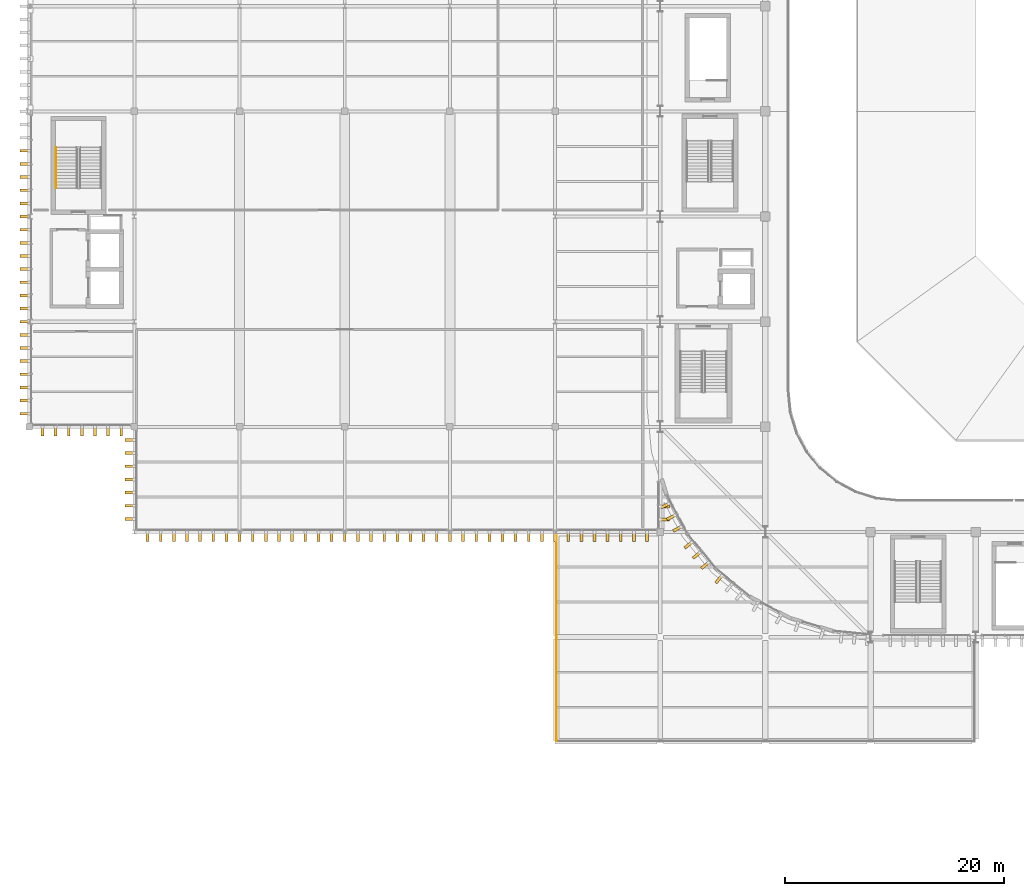
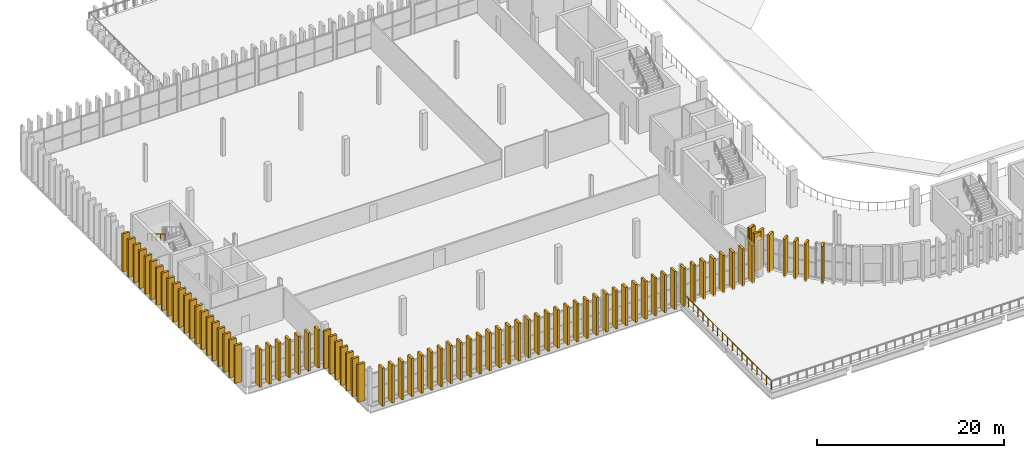
# One storey, part 78 of 99: 83 coverings, 2 railings.
"""IFC4 building model written with IfcOpenShell, lengths in metres."""

from ifc_helpers import new_model, si_unit, direction, frame, origin, origin_2d, place, context, subcontext, project, spatial, rectangle, circle, extrude, material, material_profile, profile_set, type_object, element, save


model = new_model("IFC4")

# Units and contexts
model_context = context("Model", 3, precision=1e-05, world=origin(), true_north=direction((0.0, 1.0)))
body_context = subcontext(model_context, "Body", "Model", "MODEL_VIEW")
ifc_project = project(units=[si_unit("LENGTHUNIT", "METRE"), si_unit("AREAUNIT", "SQUARE_METRE"), si_unit("VOLUMEUNIT", "CUBIC_METRE"), si_unit("PLANEANGLEUNIT", "RADIAN"), si_unit("MASSUNIT", "GRAM", prefix="KILO")], contexts=[model_context])

# Site, building, storey
site_placement = place(None, origin())
site = spatial("IfcSite", under=ifc_project, at=site_placement, CompositionType="ELEMENT")
building_placement = place(site_placement, origin())
building = spatial("IfcBuilding", under=site, at=building_placement, Name="Caelomonte Colonnade Arena", CompositionType="ELEMENT")
storey_placement = place(building_placement, frame((0.0, 0.0, 4.800048828125)))
storey = spatial("IfcBuildingStorey", under=building, at=storey_placement, Name="L01", CompositionType="ELEMENT", Elevation=4.800048828125)

# Coverings
ifc_material_1 = material(Name="Precast travertine cladding", Category="masonry")
ifc_material_profile = material_profile(ifc_material_1, rectangle(XDim=0.260009765625, YDim=0.85009765625, at=origin_2d()), Name="FIN260X850")
ifc_profile_set = profile_set([ifc_material_profile], Name="Precast travertine cladding")
covering_type = type_object("IfcCoveringType", Name="ENV-FN-SHAFT", PredefinedType="CLADDING", material=ifc_profile_set)
for number, where, z_axis, x_axis, name in (
    (1, (58.03173828125, 31.2080078125, -0.16015625), (0.0, 0.0, 1.0), (-0.471396736826, 0.881921264348, 0.0), "V1 L01 classical travertine vertical fin 221"),
    (2, (58.597412109375, 30.14990234375, -0.16015625), (0.0, 0.0, 1.0), (-0.471396736826, 0.881921264348, 0.0), "V1 L01 classical travertine vertical fin 222"),
    (3, (59.1630859375, 29.091552734375, -0.16015625), (0.0, 0.0, 1.0), (-0.471396736826, 0.881921264348, 0.0), "V1 L01 classical travertine vertical fin 223"),
    (4, (60.158203125, 27.602294921875, -0.16015625), (0.0, 0.0, 1.0), (-0.634413521313, 0.77299384472, 0.0), "V1 L01 classical travertine vertical fin 224"),
    (5, (60.91943359375, 26.6748046875, -0.16015625), (0.0, 0.0, 1.0), (-0.634413521313, 0.77299384472, 0.0), "V1 L01 classical travertine vertical fin 225"),
    (6, (61.680908203125, 25.747314453125, -0.16015625), (0.0, 0.0, 1.0), (-0.634413521313, 0.77299384472, 0.0), "V1 L01 classical travertine vertical fin 226"),
    (7, (62.947265625, 24.480712890625, -0.16015625), (0.0, 0.0, 1.0), (-0.77299384472, 0.634413521313, 0.0), "V1 L01 classical travertine vertical fin 227"),
    (8, (-0.4208984375, 63.60009765625, -0.16015625), (0.0, 0.0, 1.0), (0.0, 1.0, 0.0), "V5 L01 classical travertine vertical fin 19"),
    (9, (-0.4208984375, 62.39990234375, -0.16015625), (0.0, 0.0, 1.0), (0.0, 1.0, 0.0), "V5 L01 classical travertine vertical fin 20"),
    (10, (-0.4208984375, 61.199951171875, -0.16015625), (0.0, 0.0, 1.0), (0.0, 1.0, 0.0), "V5 L01 classical travertine vertical fin 21"),
    (11, (-0.4208984375, 60.0, -0.16015625), (0.0, 0.0, 1.0), (0.0, 1.0, 0.0), "V5 L01 classical travertine vertical fin 22"),
    (12, (-0.4208984375, 58.800048828125, -0.16015625), (0.0, 0.0, 1.0), (0.0, 1.0, 0.0), "V5 L01 classical travertine vertical fin 23"),
    (13, (-0.4208984375, 57.60009765625, -0.16015625), (0.0, 0.0, 1.0), (0.0, 1.0, 0.0), "V5 L01 classical travertine vertical fin 24"),
    (14, (-0.4208984375, 56.39990234375, -0.16015625), (0.0, 0.0, 1.0), (0.0, 1.0, 0.0), "V5 L01 classical travertine vertical fin 25"),
    (15, (-0.4208984375, 55.199951171875, -0.16015625), (0.0, 0.0, 1.0), (0.0, 1.0, 0.0), "V5 L01 classical travertine vertical fin 26"),
    (16, (-0.4208984375, 54.0, -0.16015625), (0.0, 0.0, 1.0), (0.0, 1.0, 0.0), "V5 L01 classical travertine vertical fin 27"),
    (17, (-0.4208984375, 52.800048828125, -0.16015625), (0.0, 0.0, 1.0), (0.0, 1.0, 0.0), "V5 L01 classical travertine vertical fin 28"),
    (18, (-0.4208984375, 51.60009765625, -0.16015625), (0.0, 0.0, 1.0), (0.0, 1.0, 0.0), "V5 L01 classical travertine vertical fin 29"),
    (19, (-0.4208984375, 50.39990234375, -0.16015625), (0.0, 0.0, 1.0), (0.0, 1.0, 0.0), "V5 L01 classical travertine vertical fin 30"),
    (20, (-0.4208984375, 49.199951171875, -0.16015625), (0.0, 0.0, 1.0), (0.0, 1.0, 0.0), "V5 L01 classical travertine vertical fin 31"),
    (21, (-0.4208984375, 48.0, -0.16015625), (0.0, 0.0, 1.0), (0.0, 1.0, 0.0), "V5 L01 classical travertine vertical fin 32"),
    (22, (-0.4208984375, 46.800048828125, -0.16015625), (0.0, 0.0, 1.0), (0.0, 1.0, 0.0), "V5 L01 classical travertine vertical fin 33"),
    (23, (-0.4208984375, 45.60009765625, -0.16015625), (0.0, 0.0, 1.0), (0.0, 1.0, 0.0), "V5 L01 classical travertine vertical fin 34"),
    (24, (-0.4208984375, 44.39990234375, -0.16015625), (0.0, 0.0, 1.0), (0.0, 1.0, 0.0), "V5 L01 classical travertine vertical fin 35"),
    (25, (-0.4208984375, 43.199951171875, -0.16015625), (0.0, 0.0, 1.0), (0.0, 1.0, 0.0), "V5 L01 classical travertine vertical fin 36"),
    (26, (-0.4208984375, 42.0, -0.16015625), (0.0, 0.0, 1.0), (0.0, 1.0, 0.0), "V5 L01 classical travertine vertical fin 37"),
    (27, (-0.4208984375, 40.800048828125, -0.16015625), (0.0, 0.0, 1.0), (0.0, 1.0, 0.0), "V5 L01 classical travertine vertical fin 38"),
    (28, (-0.4208984375, 39.60009765625, -0.16015625), (0.0, 0.0, 1.0), (0.0, 1.0, 0.0), "V5 L01 classical travertine vertical fin 39"),
    (29, (1.199951171875, 37.97900390625, -0.16015625), (0.0, 0.0, 1.0), (-1.0, 0.0, 0.0), "V5 L01 classical travertine vertical fin 40"),
    (30, (2.39990234375, 37.97900390625, -0.16015625), (0.0, 0.0, 1.0), (-1.0, 0.0, 0.0), "V5 L01 classical travertine vertical fin 41"),
    (31, (3.60009765625, 37.97900390625, -0.16015625), (0.0, 0.0, 1.0), (-1.0, 0.0, 0.0), "V5 L01 classical travertine vertical fin 42"),
    (32, (4.800048828125, 37.97900390625, -0.16015625), (0.0, 0.0, 1.0), (-1.0, 0.0, 0.0), "V5 L01 classical travertine vertical fin 43"),
    (33, (6.0, 37.97900390625, -0.16015625), (0.0, 0.0, 1.0), (-1.0, 0.0, 0.0), "V5 L01 classical travertine vertical fin 44"),
    (34, (7.199951171875, 37.97900390625, -0.16015625), (0.0, 0.0, 1.0), (-1.0, 0.0, 0.0), "V5 L01 classical travertine vertical fin 45"),
    (35, (8.39990234375, 37.97900390625, -0.16015625), (0.0, 0.0, 1.0), (-1.0, 0.0, 0.0), "V5 L01 classical travertine vertical fin 46"),
    (36, (9.178955078125, 37.199951171875, -0.16015625), (0.0, 0.0, 1.0), (0.0, 1.0, 0.0), "V5 L01 classical travertine vertical fin 47"),
    (37, (9.178955078125, 36.0, -0.16015625), (0.0, 0.0, 1.0), (0.0, 1.0, 0.0), "V5 L01 classical travertine vertical fin 48"),
    (38, (9.178955078125, 34.800048828125, -0.16015625), (0.0, 0.0, 1.0), (0.0, 1.0, 0.0), "V5 L01 classical travertine vertical fin 49"),
    (39, (9.178955078125, 33.60009765625, -0.16015625), (0.0, 0.0, 1.0), (0.0, 1.0, 0.0), "V5 L01 classical travertine vertical fin 50"),
    (40, (9.178955078125, 32.39990234375, -0.16015625), (0.0, 0.0, 1.0), (0.0, 1.0, 0.0), "V5 L01 classical travertine vertical fin 51"),
    (41, (9.178955078125, 31.199951171875, -0.16015625), (0.0, 0.0, 1.0), (0.0, 1.0, 0.0), "V5 L01 classical travertine vertical fin 52"),
    (42, (9.178955078125, 30.0, -0.16015625), (0.0, 0.0, 1.0), (0.0, 1.0, 0.0), "V5 L01 classical travertine vertical fin 53"),
    (43, (10.800048828125, 28.37890625, -0.16015625), (0.0, 0.0, 1.0), (-1.0, 0.0, 0.0), "V5 L01 classical travertine vertical fin 54"),
    (44, (12.0, 28.37890625, -0.16015625), (0.0, 0.0, 1.0), (-1.0, 0.0, 0.0), "V5 L01 classical travertine vertical fin 55"),
    (45, (13.199951171875, 28.37890625, -0.16015625), (0.0, 0.0, 1.0), (-1.0, 0.0, 0.0), "V5 L01 classical travertine vertical fin 56"),
    (46, (14.39990234375, 28.37890625, -0.16015625), (0.0, 0.0, 1.0), (-1.0, 0.0, 0.0), "V5 L01 classical travertine vertical fin 57"),
    (47, (15.60009765625, 28.37890625, -0.16015625), (0.0, 0.0, 1.0), (-1.0, 0.0, 0.0), "V5 L01 classical travertine vertical fin 58"),
    (48, (16.800048828125, 28.37890625, -0.16015625), (0.0, 0.0, 1.0), (-1.0, 0.0, 0.0), "V5 L01 classical travertine vertical fin 59"),
    (49, (18.0, 28.37890625, -0.16015625), (0.0, 0.0, 1.0), (-1.0, 0.0, 0.0), "V5 L01 classical travertine vertical fin 60"),
    (50, (19.199951171875, 28.37890625, -0.16015625), (0.0, 0.0, 1.0), (-1.0, 0.0, 0.0), "V5 L01 classical travertine vertical fin 61"),
    (51, (20.39990234375, 28.37890625, -0.16015625), (0.0, 0.0, 1.0), (-1.0, 0.0, 0.0), "V5 L01 classical travertine vertical fin 62"),
    (52, (21.60009765625, 28.37890625, -0.16015625), (0.0, 0.0, 1.0), (-1.0, 0.0, 0.0), "V5 L01 classical travertine vertical fin 63"),
    (53, (22.800048828125, 28.37890625, -0.16015625), (0.0, 0.0, 1.0), (-1.0, 0.0, 0.0), "V5 L01 classical travertine vertical fin 64"),
    (54, (24.0, 28.37890625, -0.16015625), (0.0, 0.0, 1.0), (-1.0, 0.0, 0.0), "V5 L01 classical travertine vertical fin 65"),
    (55, (25.199951171875, 28.37890625, -0.16015625), (0.0, 0.0, 1.0), (-1.0, 0.0, 0.0), "V5 L01 classical travertine vertical fin 66"),
    (56, (26.39990234375, 28.37890625, -0.16015625), (0.0, 0.0, 1.0), (-1.0, 0.0, 0.0), "V5 L01 classical travertine vertical fin 67"),
    (57, (27.60009765625, 28.37890625, -0.16015625), (0.0, 0.0, 1.0), (-1.0, 0.0, 0.0), "V5 L01 classical travertine vertical fin 68"),
    (58, (28.800048828125, 28.37890625, -0.16015625), (0.0, 0.0, 1.0), (-1.0, 0.0, 0.0), "V5 L01 classical travertine vertical fin 69"),
    (59, (30.0, 28.37890625, -0.16015625), (0.0, 0.0, 1.0), (-1.0, 0.0, 0.0), "V5 L01 classical travertine vertical fin 70"),
    (60, (31.199951171875, 28.37890625, -0.16015625), (0.0, 0.0, 1.0), (-1.0, 0.0, 0.0), "V5 L01 classical travertine vertical fin 71"),
    (61, (32.39990234375, 28.37890625, -0.16015625), (0.0, 0.0, 1.0), (-1.0, 0.0, 0.0), "V5 L01 classical travertine vertical fin 72"),
    (62, (33.60009765625, 28.37890625, -0.16015625), (0.0, 0.0, 1.0), (-1.0, 0.0, 0.0), "V5 L01 classical travertine vertical fin 73"),
    (63, (34.800048828125, 28.37890625, -0.16015625), (0.0, 0.0, 1.0), (-1.0, 0.0, 0.0), "V5 L01 classical travertine vertical fin 74"),
    (64, (36.0, 28.37890625, -0.16015625), (0.0, 0.0, 1.0), (-1.0, 0.0, 0.0), "V5 L01 classical travertine vertical fin 75"),
    (65, (37.199951171875, 28.37890625, -0.16015625), (0.0, 0.0, 1.0), (-1.0, 0.0, 0.0), "V5 L01 classical travertine vertical fin 76"),
    (66, (38.39990234375, 28.37890625, -0.16015625), (0.0, 0.0, 1.0), (-1.0, 0.0, 0.0), "V5 L01 classical travertine vertical fin 77"),
    (67, (39.60009765625, 28.37890625, -0.16015625), (0.0, 0.0, 1.0), (-1.0, 0.0, 0.0), "V5 L01 classical travertine vertical fin 78"),
    (68, (40.800048828125, 28.37890625, -0.16015625), (0.0, 0.0, 1.0), (-1.0, 0.0, 0.0), "V5 L01 classical travertine vertical fin 79"),
    (69, (42.0, 28.37890625, -0.16015625), (0.0, 0.0, 1.0), (-1.0, 0.0, 0.0), "V5 L01 classical travertine vertical fin 80"),
    (70, (43.199951171875, 28.37890625, -0.16015625), (0.0, 0.0, 1.0), (-1.0, 0.0, 0.0), "V5 L01 classical travertine vertical fin 81"),
    (71, (44.39990234375, 28.37890625, -0.16015625), (0.0, 0.0, 1.0), (-1.0, 0.0, 0.0), "V5 L01 classical travertine vertical fin 82"),
    (72, (45.60009765625, 28.37890625, -0.16015625), (0.0, 0.0, 1.0), (-1.0, 0.0, 0.0), "V5 L01 classical travertine vertical fin 83"),
    (73, (46.800048828125, 28.37890625, -0.16015625), (0.0, 0.0, 1.0), (-1.0, 0.0, 0.0), "V5 L01 classical travertine vertical fin 84"),
    (74, (48.0, 28.37890625, -0.16015625), (0.0, 0.0, 1.0), (-1.0, 0.0, 0.0), "V5 L01 classical travertine vertical fin 85"),
    (75, (49.199951171875, 28.37890625, -0.16015625), (0.0, 0.0, 1.0), (-1.0, 0.0, 0.0), "V5 L01 classical travertine vertical fin 86"),
    (76, (50.39990234375, 28.37890625, -0.16015625), (0.0, 0.0, 1.0), (-1.0, 0.0, 0.0), "V5 L01 classical travertine vertical fin 87"),
    (77, (51.60009765625, 28.37890625, -0.16015625), (0.0, 0.0, 1.0), (-1.0, 0.0, 0.0), "V5 L01 classical travertine vertical fin 88"),
    (78, (52.800048828125, 28.37890625, -0.16015625), (0.0, 0.0, 1.0), (-1.0, 0.0, 0.0), "V5 L01 classical travertine vertical fin 89"),
    (79, (54.0, 28.37890625, -0.16015625), (0.0, 0.0, 1.0), (-1.0, 0.0, 0.0), "V5 L01 classical travertine vertical fin 90"),
    (80, (55.199951171875, 28.37890625, -0.16015625), (0.0, 0.0, 1.0), (-1.0, 0.0, 0.0), "V5 L01 classical travertine vertical fin 91"),
    (81, (56.39990234375, 28.37890625, -0.16015625), (0.0, 0.0, 1.0), (-1.0, 0.0, 0.0), "V5 L01 classical travertine vertical fin 92"),
    (82, (58.02099609375, 29.938720703125, -0.16015625), (0.0, 0.0, 1.0), (0.0, -1.0, 0.0), "V5 L01 classical travertine vertical fin 93"),
    (83, (58.02099609375, 31.138671875, -0.16015625), (0.0, 0.0, 1.0), (0.0, -1.0, 0.0), "V5 L01 classical travertine vertical fin 94"),
):
    element("IfcCovering", number, at=place(storey_placement, frame(where, z_axis=z_axis, x_axis=x_axis)), inside=storey, type_object=covering_type, Name=name, PredefinedType="CLADDING", context=body_context, shape_type="SweptSolid", body=[
        extrude(rectangle(XDim=0.260009765625, YDim=0.85009765625, at=origin_2d()), origin(), (0.0, 0.0, 1.0), 4.960205078125),
    ])

# Railings
ifc_material_2 = material(Name="Travertine limestone and bronze balustrade", Category="masonry")
railing_type_1 = type_object("IfcRailingType", Name="ENV-RL-BAL1", PredefinedType="BALUSTRADE", material=ifc_material_2)
railing_1_placement = place(storey_placement, frame((48.1201171875, 9.719970703125, 0.0)))
element("IfcRailing", 84, at=railing_1_placement, inside=storey, type_object=railing_type_1, Name="South Colonnade Terrace Roof perimeter guard 1", PredefinedType="BALUSTRADE", context=body_context, shape_type="SweptSolid", body=[
    extrude(circle(Radius=0.02392578125, at=origin_2d()), frame((0.0, 0.0, 1.09619140625), z_axis=(0.0, 1.0, 0.0), x_axis=(-1.0, 0.0, 0.0)), (0.0, 0.0, 1.0), 18.800048828125),
    extrude(circle(Radius=0.02099609375, at=origin_2d()), origin(), (0.0, 0.0, 1.0), 1.068115234375),
    extrude(circle(Radius=0.02099609375, at=origin_2d()), frame((0.0, 1.04443359375, 0.0)), (0.0, 0.0, 1.0), 1.068115234375),
    extrude(circle(Radius=0.02099609375, at=origin_2d()), frame((0.0, 2.0888671875, 0.0)), (0.0, 0.0, 1.0), 1.068115234375),
    extrude(circle(Radius=0.02099609375, at=origin_2d()), frame((0.0, 3.13330078125, 0.0)), (0.0, 0.0, 1.0), 1.068115234375),
    extrude(circle(Radius=0.02099609375, at=origin_2d()), frame((0.0, 4.177734375, 0.0)), (0.0, 0.0, 1.0), 1.068115234375),
    extrude(circle(Radius=0.02099609375, at=origin_2d()), frame((0.0, 5.22216796875, 0.0)), (0.0, 0.0, 1.0), 1.068115234375),
    extrude(circle(Radius=0.02099609375, at=origin_2d()), frame((0.0, 6.2666015625, 0.0)), (0.0, 0.0, 1.0), 1.068115234375),
    extrude(circle(Radius=0.02099609375, at=origin_2d()), frame((0.0, 7.31103515625, 0.0)), (0.0, 0.0, 1.0), 1.068115234375),
    extrude(circle(Radius=0.02099609375, at=origin_2d()), frame((0.0, 8.35546875, 0.0)), (0.0, 0.0, 1.0), 1.068115234375),
    extrude(circle(Radius=0.02099609375, at=origin_2d()), frame((0.0, 9.39990234375, 0.0)), (0.0, 0.0, 1.0), 1.068115234375),
    extrude(circle(Radius=0.02099609375, at=origin_2d()), frame((0.0, 10.444580078125, 0.0)), (0.0, 0.0, 1.0), 1.068115234375),
    extrude(circle(Radius=0.02099609375, at=origin_2d()), frame((0.0, 11.489013671875, 0.0)), (0.0, 0.0, 1.0), 1.068115234375),
    extrude(circle(Radius=0.02099609375, at=origin_2d()), frame((0.0, 12.533447265625, 0.0)), (0.0, 0.0, 1.0), 1.068115234375),
    extrude(circle(Radius=0.02099609375, at=origin_2d()), frame((0.0, 13.577880859375, 0.0)), (0.0, 0.0, 1.0), 1.068115234375),
    extrude(circle(Radius=0.02099609375, at=origin_2d()), frame((0.0, 14.622314453125, 0.0)), (0.0, 0.0, 1.0), 1.068115234375),
    extrude(circle(Radius=0.02099609375, at=origin_2d()), frame((0.0, 15.666748046875, 0.0)), (0.0, 0.0, 1.0), 1.068115234375),
    extrude(circle(Radius=0.02099609375, at=origin_2d()), frame((0.0, 16.711181640625, 0.0)), (0.0, 0.0, 1.0), 1.068115234375),
    extrude(circle(Radius=0.02099609375, at=origin_2d()), frame((0.0, 17.755615234375, 0.0)), (0.0, 0.0, 1.0), 1.068115234375),
    extrude(circle(Radius=0.02099609375, at=origin_2d()), frame((0.0, 18.800048828125, 0.0)), (0.0, 0.0, 1.0), 1.068115234375),
])
ifc_material_3 = material(Name="Brushed stainless steel stair handrail", Category="steel")
railing_type_2 = type_object("IfcRailingType", Name="INT-RL-HR", PredefinedType="HANDRAIL", material=ifc_material_3)
railing_2_placement = place(storey_placement, frame((2.449951171875, 63.905029296875, 2.5712890625)))
element("IfcRailing", 85, at=railing_2_placement, inside=storey, type_object=railing_type_2, Name="L01 ST-08 stair handrail 2", PredefinedType="HANDRAIL", context=body_context, shape_type="SweptSolid", body=[
    extrude(circle(Radius=0.02392578125, at=origin_2d()), frame((0.0, 0.0, 0.8759765625), z_axis=(0.0, -0.856909459561, 0.515466951525), x_axis=(1.0, 0.0, 0.0)), (0.0, 0.0, 1.0), 4.32373046875),
    extrude(circle(Radius=0.02099609375, at=origin_2d()), origin(), (0.0, 0.0, 1.0), 0.847900390625),
    extrude(circle(Radius=0.02099609375, at=origin_2d()), frame((0.0, -0.92626953125, 0.55712890625)), (0.0, 0.0, 1.0), 0.847900390625),
    extrude(circle(Radius=0.02099609375, at=origin_2d()), frame((0.0, -1.8525390625, 1.1142578125)), (0.0, 0.0, 1.0), 0.847900390625),
    extrude(circle(Radius=0.02099609375, at=origin_2d()), frame((0.0, -2.77880859375, 1.671630859375)), (0.0, 0.0, 1.0), 0.847900390625),
    extrude(circle(Radius=0.02099609375, at=origin_2d()), frame((0.0, -3.705078125, 2.228759765625)), (0.0, 0.0, 1.0), 0.847900390625),
])

save(model, "model.ifc")
